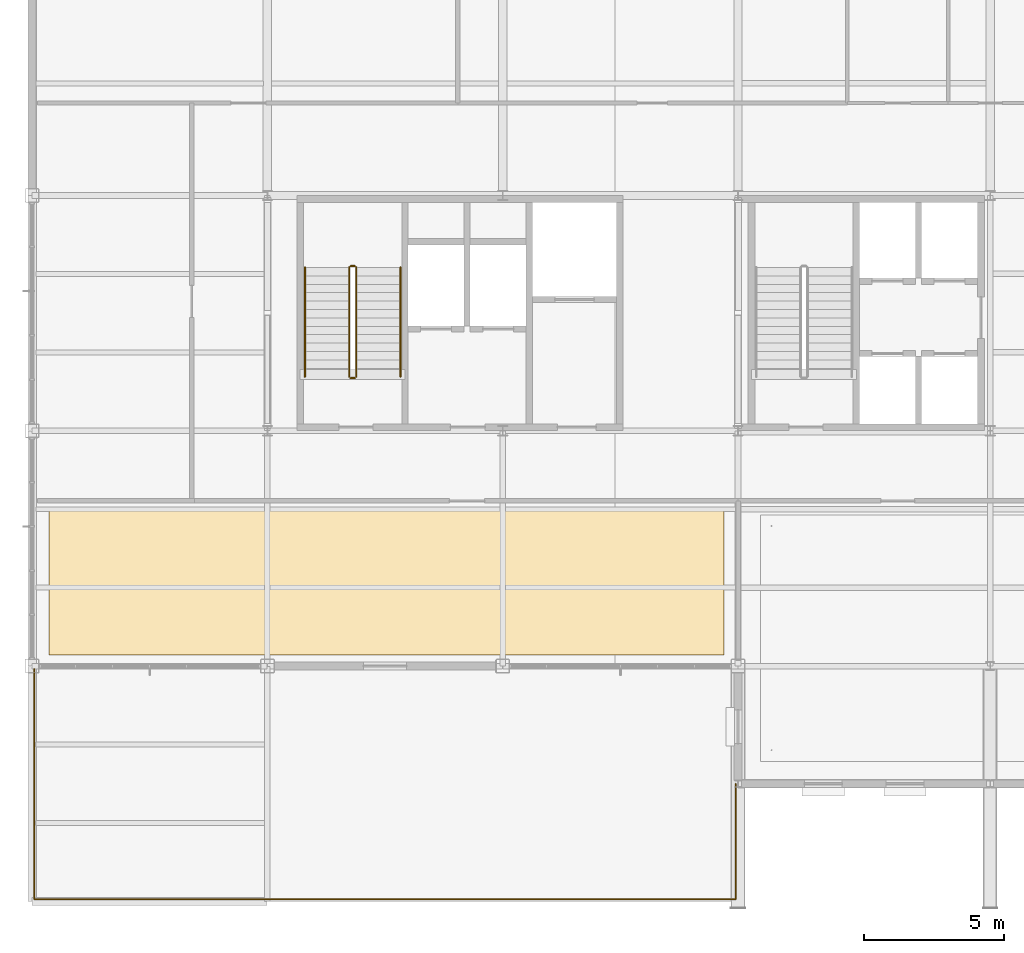
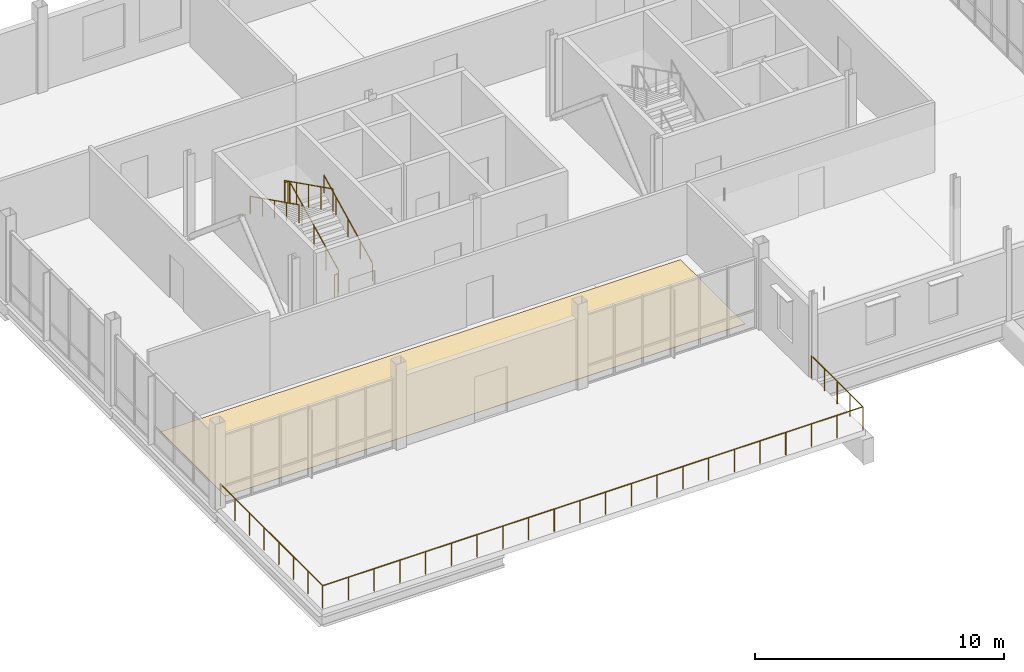
# One storey, part 21 of 22: 7 railings, 1 covering.
"""IFC4 building model written with IfcOpenShell, lengths in metres."""

from ifc_helpers import new_model, si_unit, direction, frame, origin, origin_2d, place, context, subcontext, project, spatial, polyline, circle, outline, extrude, material, layer, layer_set, type_object, element, save


model = new_model("IFC4")

# Units and contexts
model_context = context("Model", 3, precision=1e-05, world=origin(), true_north=direction((0.0, 1.0)))
body_context = subcontext(model_context, "Body", "Model", "MODEL_VIEW")
ifc_project = project(units=[si_unit("LENGTHUNIT", "METRE"), si_unit("AREAUNIT", "SQUARE_METRE"), si_unit("VOLUMEUNIT", "CUBIC_METRE"), si_unit("PLANEANGLEUNIT", "RADIAN"), si_unit("MASSUNIT", "GRAM", prefix="KILO")], contexts=[model_context])

# Site, building, storey
site_placement = place(None, origin())
site = spatial("IfcSite", under=ifc_project, at=site_placement, CompositionType="ELEMENT")
building_placement = place(site_placement, origin())
building = spatial("IfcBuilding", under=site, at=building_placement, Name="Yukiwa Park Conservatory and Herbarium", CompositionType="ELEMENT")
storey_placement = place(building_placement, frame((0.0, 0.0, 35.39990234375)))
storey = spatial("IfcBuildingStorey", under=building, at=storey_placement, Name="L09", CompositionType="ELEMENT", Elevation=35.39990234375)

# Covering
ifc_material_1 = material(Name="Anti-Static Laboratory Epoxy Flooring")
ifc_layer_1 = layer(ifc_material_1, 0.02001953125)
ifc_layer_set_1 = layer_set([ifc_layer_1], Name="Anti-Static Laboratory Epoxy Flooring")
covering_type = type_object("IfcCoveringType", Name="COV-FLR-EPOXY", PredefinedType="FLOORING", material=ifc_layer_set_1)
covering_placement = place(storey_placement, origin())
element("IfcCovering", 1, at=covering_placement, inside=storey, type_object=covering_type, Name="L09 finished floor covering FLR-L09-LAB", PredefinedType="FLOORING", context=body_context, shape_type="SweptSolid", body=[
    extrude(outline(polyline([(125.39990234375, 86.800048828125), (149.5, 86.800048828125), (149.5, 92.0), (125.39990234375, 92.0), (125.39990234375, 86.800048828125)])), origin(), (0.0, 0.0, 1.0), 0.02001953125),
])

# Railings
ifc_material_2 = material(Name="Steel Q235B", Category="steel")
ifc_layer_2 = layer(ifc_material_2, 0.050048828125)
ifc_layer_set_2 = layer_set([ifc_layer_2], Name="Steel Q235B")
railing_type_1 = type_object("IfcRailingType", Name="RL-STAIR-GUARD-1120", PredefinedType="BALUSTRADE", material=ifc_layer_set_2)
railing_1_placement = place(storey_placement, frame((136.3701171875, 96.72998046875, 0.150146484375)))
element("IfcRailing", 2, at=railing_1_placement, inside=storey, type_object=railing_type_1, Name="L09 ST-T1 stair guard 1", PredefinedType="BALUSTRADE", context=body_context, shape_type="SweptSolid", body=[
    extrude(circle(Radius=0.02392578125, at=origin_2d()), frame((0.0, 0.0, 1.09619140625), z_axis=(0.0, 0.894427191, 0.4472135955), x_axis=(-1.0, 0.0, 0.0)), (0.0, 0.0, 1.0), 4.360107421875),
    extrude(circle(Radius=0.02099609375, at=origin_2d()), origin(), (0.0, 0.0, 1.0), 1.072021484375),
    extrude(circle(Radius=0.02099609375, at=origin_2d()), frame((0.0, 0.97509765625, 0.487548828125)), (0.0, 0.0, 1.0), 1.072021484375),
    extrude(circle(Radius=0.02099609375, at=origin_2d()), frame((0.0, 1.949951171875, 0.97509765625)), (0.0, 0.0, 1.0), 1.072021484375),
    extrude(circle(Radius=0.02099609375, at=origin_2d()), frame((0.0, 2.9248046875, 1.46240234375)), (0.0, 0.0, 1.0), 1.072021484375),
    extrude(circle(Radius=0.02099609375, at=origin_2d()), frame((0.0, 3.89990234375, 1.949951171875)), (0.0, 0.0, 1.0), 1.072021484375),
])
railing_2_placement = place(storey_placement, frame((136.320068359375, 100.679931640625, 2.10009765625)))
element("IfcRailing", 3, at=railing_2_placement, inside=storey, type_object=railing_type_1, Name="L09 ST-T1 stair guard 2", PredefinedType="BALUSTRADE", context=body_context, shape_type="SweptSolid", body=[
    extrude(circle(Radius=0.02392578125, at=origin_2d()), frame((0.0, 0.0, 1.09619140625), z_axis=(-1.0, 0.0, 0.0), x_axis=(0.0, -1.0, 0.0)), (0.0, 0.0, 1.0), 0.150146484375),
    extrude(circle(Radius=0.02099609375, at=origin_2d()), origin(), (0.0, 0.0, 1.0), 1.072021484375),
    extrude(circle(Radius=0.02099609375, at=origin_2d()), frame((-0.150146484375, 0.0, 0.0)), (0.0, 0.0, 1.0), 1.072021484375),
])
railing_3_placement = place(storey_placement, frame((136.1201171875, 100.6298828125, 2.25)))
element("IfcRailing", 4, at=railing_3_placement, inside=storey, type_object=railing_type_1, Name="L09 ST-T1 stair guard 3", PredefinedType="BALUSTRADE", context=body_context, shape_type="SweptSolid", body=[
    extrude(circle(Radius=0.02392578125, at=origin_2d()), frame((0.0, 0.0, 1.09619140625), z_axis=(0.0, -0.894404793364, 0.447258387967), x_axis=(1.0, 0.0, 0.0)), (0.0, 0.0, 1.0), 4.3603515625),
    extrude(circle(Radius=0.02099609375, at=origin_2d()), origin(), (0.0, 0.0, 1.0), 1.072021484375),
    extrude(circle(Radius=0.02099609375, at=origin_2d()), frame((0.0, -0.97509765625, 0.487548828125)), (0.0, 0.0, 1.0), 1.072021484375),
    extrude(circle(Radius=0.02099609375, at=origin_2d()), frame((0.0, -1.949951171875, 0.97509765625)), (0.0, 0.0, 1.0), 1.072021484375),
    extrude(circle(Radius=0.02099609375, at=origin_2d()), frame((0.0, -2.9248046875, 1.462646484375)), (0.0, 0.0, 1.0), 1.072021484375),
    extrude(circle(Radius=0.02099609375, at=origin_2d()), frame((0.0, -3.89990234375, 1.9501953125)), (0.0, 0.0, 1.0), 1.072021484375),
])
railing_4_placement = place(storey_placement, frame((136.320068359375, 96.679931640625, 0.0)))
element("IfcRailing", 5, at=railing_4_placement, inside=storey, type_object=railing_type_1, Name="L09 ST-T1 stair guard 4", PredefinedType="BALUSTRADE", context=body_context, shape_type="SweptSolid", body=[
    extrude(circle(Radius=0.02392578125, at=origin_2d()), frame((0.0, 0.0, 1.09619140625), z_axis=(-1.0, 0.0, 0.0), x_axis=(0.0, -1.0, 0.0)), (0.0, 0.0, 1.0), 0.150146484375),
    extrude(circle(Radius=0.02099609375, at=origin_2d()), origin(), (0.0, 0.0, 1.0), 1.072021484375),
    extrude(circle(Radius=0.02099609375, at=origin_2d()), frame((-0.150146484375, 0.0, 0.0)), (0.0, 0.0, 1.0), 1.072021484375),
])
ifc_material_3 = material(Name="Steel Q235B", Category="steel")
ifc_layer_3 = layer(ifc_material_3, 0.044921875)
ifc_layer_set_3 = layer_set([ifc_layer_3], Name="Steel Q235B")
railing_type_2 = type_object("IfcRailingType", Name="RL-STAIR-RAIL-900", PredefinedType="HANDRAIL", material=ifc_layer_set_3)
railing_5_placement = place(storey_placement, frame((137.949951171875, 96.72998046875, 0.150146484375)))
element("IfcRailing", 6, at=railing_5_placement, inside=storey, type_object=railing_type_2, Name="L09 ST-T1 stair handrail 1", PredefinedType="HANDRAIL", context=body_context, shape_type="SweptSolid", body=[
    extrude(circle(Radius=0.02392578125, at=origin_2d()), frame((0.0, 0.0, 0.8759765625), z_axis=(0.0, 0.894427191, 0.4472135955), x_axis=(-1.0, 0.0, 0.0)), (0.0, 0.0, 1.0), 4.360107421875),
    extrude(circle(Radius=0.02099609375, at=origin_2d()), origin(), (0.0, 0.0, 1.0), 0.851806640625),
    extrude(circle(Radius=0.02099609375, at=origin_2d()), frame((0.0, 0.97509765625, 0.487548828125)), (0.0, 0.0, 1.0), 0.851806640625),
    extrude(circle(Radius=0.02099609375, at=origin_2d()), frame((0.0, 1.949951171875, 0.97509765625)), (0.0, 0.0, 1.0), 0.851806640625),
    extrude(circle(Radius=0.02099609375, at=origin_2d()), frame((0.0, 2.9248046875, 1.46240234375)), (0.0, 0.0, 1.0), 0.851806640625),
    extrude(circle(Radius=0.02099609375, at=origin_2d()), frame((0.0, 3.89990234375, 1.949951171875)), (0.0, 0.0, 1.0), 0.851806640625),
])
railing_6_placement = place(storey_placement, frame((134.5400390625, 100.6298828125, 2.25)))
element("IfcRailing", 7, at=railing_6_placement, inside=storey, type_object=railing_type_2, Name="L09 ST-T1 stair handrail 2", PredefinedType="HANDRAIL", context=body_context, shape_type="SweptSolid", body=[
    extrude(circle(Radius=0.02392578125, at=origin_2d()), frame((0.0, 0.0, 0.8759765625), z_axis=(0.0, -0.894404793364, 0.447258387967), x_axis=(1.0, 0.0, 0.0)), (0.0, 0.0, 1.0), 4.3603515625),
    extrude(circle(Radius=0.02099609375, at=origin_2d()), origin(), (0.0, 0.0, 1.0), 0.851806640625),
    extrude(circle(Radius=0.02099609375, at=origin_2d()), frame((0.0, -0.97509765625, 0.487548828125)), (0.0, 0.0, 1.0), 0.851806640625),
    extrude(circle(Radius=0.02099609375, at=origin_2d()), frame((0.0, -1.949951171875, 0.97509765625)), (0.0, 0.0, 1.0), 0.851806640625),
    extrude(circle(Radius=0.02099609375, at=origin_2d()), frame((0.0, -2.9248046875, 1.462646484375)), (0.0, 0.0, 1.0), 0.851806640625),
    extrude(circle(Radius=0.02099609375, at=origin_2d()), frame((0.0, -3.89990234375, 1.9501953125)), (0.0, 0.0, 1.0), 0.851806640625),
])
ifc_material_4 = material(Name="Steel Q235B", Category="steel")
ifc_layer_4 = layer(ifc_material_4, 0.06005859375)
ifc_layer_set_4 = layer_set([ifc_layer_4], Name="Steel Q235B")
railing_type_3 = type_object("IfcRailingType", Name="RL-TERRACE-GUARD-1120", PredefinedType="BALUSTRADE", material=ifc_layer_set_4)
railing_7_placement = place(storey_placement, frame((124.8798828125, 86.300048828125, 0.0)))
element("IfcRailing", 8, at=railing_7_placement, inside=storey, type_object=railing_type_3, Name="L09 outdoor terrace guard balustrade RL-TER-L09-SS", PredefinedType="BALUSTRADE", context=body_context, shape_type="SweptSolid", body=[
    extrude(circle(Radius=0.02392578125, at=origin_2d()), frame((0.0, 0.0, 1.09619140625), z_axis=(0.0, -1.0, 0.0), x_axis=(1.0, 0.0, 0.0)), (0.0, 0.0, 1.0), 8.219970703125),
    extrude(circle(Radius=0.02392578125, at=origin_2d()), frame((0.0, -8.219970703125, 1.09619140625), z_axis=(1.0, 0.0, 0.0), x_axis=(0.0, 1.0, 0.0)), (0.0, 0.0, 1.0), 25.0400390625),
    extrude(circle(Radius=0.02392578125, at=origin_2d()), frame((25.0400390625, -8.219970703125, 1.09619140625), z_axis=(0.0, 1.0, 0.0), x_axis=(-1.0, 0.0, 0.0)), (0.0, 0.0, 1.0), 4.119873046875),
    extrude(circle(Radius=0.02099609375, at=origin_2d()), origin(), (0.0, 0.0, 1.0), 1.072021484375),
    extrude(circle(Radius=0.02099609375, at=origin_2d()), frame((0.0, -1.17431640625, 0.0)), (0.0, 0.0, 1.0), 1.072021484375),
    extrude(circle(Radius=0.02099609375, at=origin_2d()), frame((0.0, -2.3486328125, 0.0)), (0.0, 0.0, 1.0), 1.072021484375),
    extrude(circle(Radius=0.02099609375, at=origin_2d()), frame((0.0, -3.52294921875, 0.0)), (0.0, 0.0, 1.0), 1.072021484375),
    extrude(circle(Radius=0.02099609375, at=origin_2d()), frame((0.0, -4.697021484375, 0.0)), (0.0, 0.0, 1.0), 1.072021484375),
    extrude(circle(Radius=0.02099609375, at=origin_2d()), frame((0.0, -5.871337890625, 0.0)), (0.0, 0.0, 1.0), 1.072021484375),
    extrude(circle(Radius=0.02099609375, at=origin_2d()), frame((0.0, -7.045654296875, 0.0)), (0.0, 0.0, 1.0), 1.072021484375),
    extrude(circle(Radius=0.02099609375, at=origin_2d()), frame((0.0, -8.219970703125, 0.0)), (0.0, 0.0, 1.0), 1.072021484375),
    extrude(circle(Radius=0.02099609375, at=origin_2d()), frame((1.1923828125, -8.219970703125, 0.0)), (0.0, 0.0, 1.0), 1.072021484375),
    extrude(circle(Radius=0.02099609375, at=origin_2d()), frame((2.384765625, -8.219970703125, 0.0)), (0.0, 0.0, 1.0), 1.072021484375),
    extrude(circle(Radius=0.02099609375, at=origin_2d()), frame((3.5771484375, -8.219970703125, 0.0)), (0.0, 0.0, 1.0), 1.072021484375),
    extrude(circle(Radius=0.02099609375, at=origin_2d()), frame((4.76953125, -8.219970703125, 0.0)), (0.0, 0.0, 1.0), 1.072021484375),
    extrude(circle(Radius=0.02099609375, at=origin_2d()), frame((5.9619140625, -8.219970703125, 0.0)), (0.0, 0.0, 1.0), 1.072021484375),
    extrude(circle(Radius=0.02099609375, at=origin_2d()), frame((7.154296875, -8.219970703125, 0.0)), (0.0, 0.0, 1.0), 1.072021484375),
    extrude(circle(Radius=0.02099609375, at=origin_2d()), frame((8.3466796875, -8.219970703125, 0.0)), (0.0, 0.0, 1.0), 1.072021484375),
    extrude(circle(Radius=0.02099609375, at=origin_2d()), frame((9.5390625, -8.219970703125, 0.0)), (0.0, 0.0, 1.0), 1.072021484375),
    extrude(circle(Radius=0.02099609375, at=origin_2d()), frame((10.7314453125, -8.219970703125, 0.0)), (0.0, 0.0, 1.0), 1.072021484375),
    extrude(circle(Radius=0.02099609375, at=origin_2d()), frame((11.923828125, -8.219970703125, 0.0)), (0.0, 0.0, 1.0), 1.072021484375),
    extrude(circle(Radius=0.02099609375, at=origin_2d()), frame((13.1162109375, -8.219970703125, 0.0)), (0.0, 0.0, 1.0), 1.072021484375),
    extrude(circle(Radius=0.02099609375, at=origin_2d()), frame((14.30859375, -8.219970703125, 0.0)), (0.0, 0.0, 1.0), 1.072021484375),
    extrude(circle(Radius=0.02099609375, at=origin_2d()), frame((15.5009765625, -8.219970703125, 0.0)), (0.0, 0.0, 1.0), 1.072021484375),
    extrude(circle(Radius=0.02099609375, at=origin_2d()), frame((16.693359375, -8.219970703125, 0.0)), (0.0, 0.0, 1.0), 1.072021484375),
    extrude(circle(Radius=0.02099609375, at=origin_2d()), frame((17.8857421875, -8.219970703125, 0.0)), (0.0, 0.0, 1.0), 1.072021484375),
    extrude(circle(Radius=0.02099609375, at=origin_2d()), frame((19.078125, -8.219970703125, 0.0)), (0.0, 0.0, 1.0), 1.072021484375),
    extrude(circle(Radius=0.02099609375, at=origin_2d()), frame((20.2705078125, -8.219970703125, 0.0)), (0.0, 0.0, 1.0), 1.072021484375),
    extrude(circle(Radius=0.02099609375, at=origin_2d()), frame((21.462890625, -8.219970703125, 0.0)), (0.0, 0.0, 1.0), 1.072021484375),
    extrude(circle(Radius=0.02099609375, at=origin_2d()), frame((22.6552734375, -8.219970703125, 0.0)), (0.0, 0.0, 1.0), 1.072021484375),
    extrude(circle(Radius=0.02099609375, at=origin_2d()), frame((23.84765625, -8.219970703125, 0.0)), (0.0, 0.0, 1.0), 1.072021484375),
    extrude(circle(Radius=0.02099609375, at=origin_2d()), frame((25.0400390625, -8.219970703125, 0.0)), (0.0, 0.0, 1.0), 1.072021484375),
    extrude(circle(Radius=0.02099609375, at=origin_2d()), frame((25.0400390625, -7.18994140625, 0.0)), (0.0, 0.0, 1.0), 1.072021484375),
    extrude(circle(Radius=0.02099609375, at=origin_2d()), frame((25.0400390625, -6.16015625, 0.0)), (0.0, 0.0, 1.0), 1.072021484375),
    extrude(circle(Radius=0.02099609375, at=origin_2d()), frame((25.0400390625, -5.130126953125, 0.0)), (0.0, 0.0, 1.0), 1.072021484375),
    extrude(circle(Radius=0.02099609375, at=origin_2d()), frame((25.0400390625, -4.10009765625, 0.0)), (0.0, 0.0, 1.0), 1.072021484375),
])

save(model, "model.ifc")
